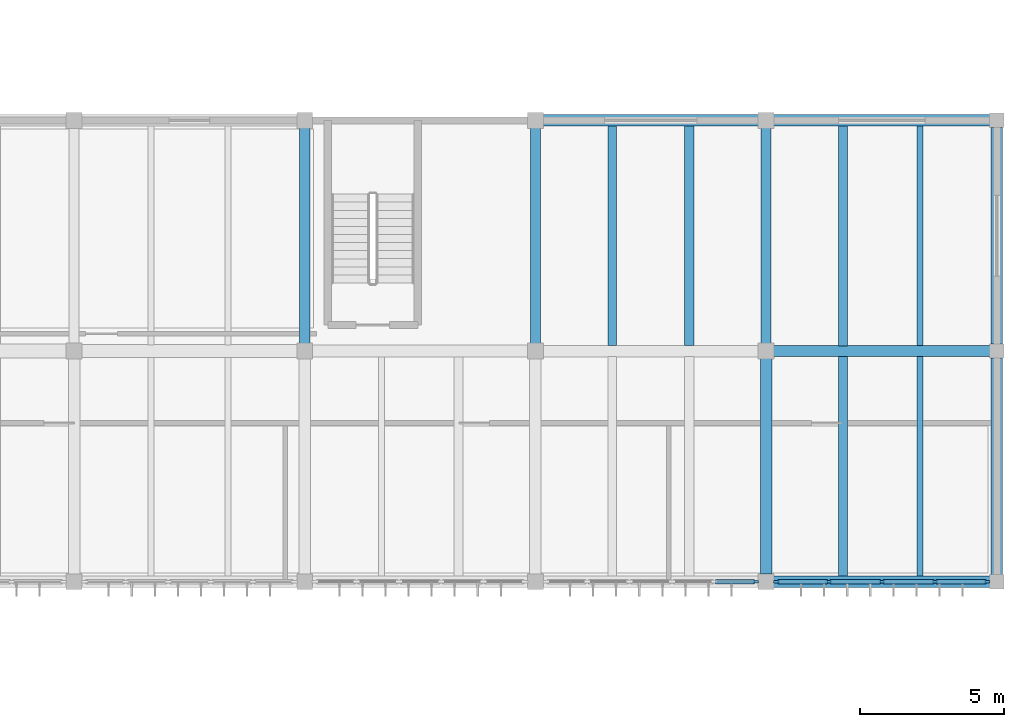
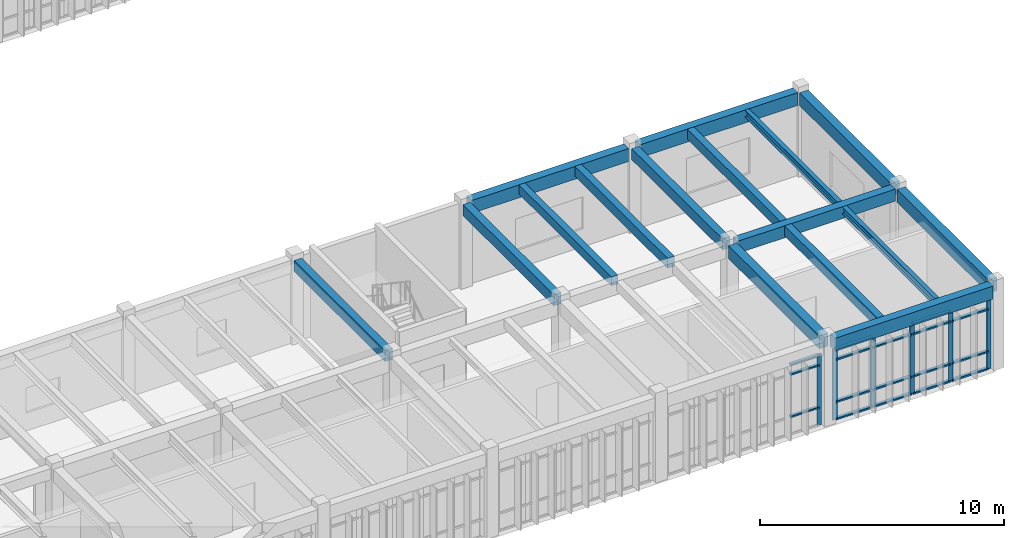
# One storey, part 31 of 79: 25 members, 16 beams, 2 elements without a shape of their own.
"""IFC4 building model written with IfcOpenShell, lengths in metres."""

from ifc_helpers import new_model, si_unit, direction, frame, origin, origin_2d, place, context, subcontext, project, spatial, rectangle, i_section, extrude, material, material_profile, profile_set, type_object, element, aggregate, save


model = new_model("IFC4")

# Units and contexts
model_context = context("Model", 3, precision=1e-05, world=origin(), true_north=direction((0.0, 1.0)))
body_context = subcontext(model_context, "Body", "Model", "MODEL_VIEW")
ifc_project = project(units=[si_unit("LENGTHUNIT", "METRE"), si_unit("AREAUNIT", "SQUARE_METRE"), si_unit("VOLUMEUNIT", "CUBIC_METRE"), si_unit("PLANEANGLEUNIT", "RADIAN"), si_unit("MASSUNIT", "GRAM", prefix="KILO")], contexts=[model_context])

# Site, building, storey
site_placement = place(None, origin())
site = spatial("IfcSite", under=ifc_project, at=site_placement, CompositionType="ELEMENT")
building_placement = place(site_placement, origin())
building = spatial("IfcBuilding", under=site, at=building_placement, Name="Tlaxcora Railside Police Headquarters", CompositionType="ELEMENT")
storey_placement = place(building_placement, frame((0.0, 0.0, 9.0)))
storey = spatial("IfcBuildingStorey", under=building, at=storey_placement, Name="L02", CompositionType="ELEMENT", Elevation=9.0)

# Curtain wall, member
ifc_material_1 = material(Name="Thermally broken low-E insulated glazing", Category="glass")
curtain_wall_type_1 = type_object("IfcCurtainWallType", Name="Unitised Curtain Wall Assembly CW-15", PredefinedType="NOTDEFINED", material=ifc_material_1)
curtain_wall_1_placement = place(storey_placement, origin())
curtain_wall_1 = element("IfcCurtainWall", 1, at=curtain_wall_1_placement, inside=storey, type_object=curtain_wall_type_1, Name="V7 L02 curtain wall 182", PredefinedType="NOTDEFINED")
ifc_material_2 = material(Name="Anodised aluminium framing", Category="aluminium")
ifc_material_profile_1 = material_profile(ifc_material_2, rectangle(XDim=0.074951171875, YDim=0.199951171875, at=origin_2d()), Name="AL75X200")
ifc_profile_set_1 = profile_set([ifc_material_profile_1], Name="Anodised aluminium framing")
member_type_1 = type_object("IfcMemberType", Name="Curtain Wall Mullion CW-58", PredefinedType="MULLION", material=ifc_profile_set_1)
member_1_placement = place(storey_placement, frame((150.4375, 36.0, 0.0), z_axis=(0.0, 0.0, 1.0), x_axis=(0.0, 1.0, 0.0)))
member_1 = element("IfcMember", 2, at=member_1_placement, type_object=member_type_1, Name="CW mullion 6", PredefinedType="MULLION", context=body_context, shape_type="SweptSolid", body=[
    extrude(rectangle(XDim=0.074951171875, YDim=0.199951171875, at=origin_2d()), origin(), (0.0, 0.0, 1.0), 3.550048828125),
])

# Curtain wall, members
curtain_wall_type_2 = type_object("IfcCurtainWallType", Name="Unitised Curtain Wall Assembly CW-83", PredefinedType="NOTDEFINED", material=ifc_material_1)
curtain_wall_2_placement = place(storey_placement, origin())
curtain_wall_2 = element("IfcCurtainWall", 3, at=curtain_wall_2_placement, inside=storey, type_object=curtain_wall_type_2, Name="V7 L02 curtain wall 183", PredefinedType="NOTDEFINED")
ifc_material_profile_2 = material_profile(ifc_material_2, rectangle(XDim=0.080078125, YDim=0.2099609375, at=origin_2d()), Name="AL80X210")
ifc_profile_set_2 = profile_set([ifc_material_profile_2], Name="Anodised aluminium framing")
member_type_2 = type_object("IfcMemberType", Name="Curtain Wall Mullion CW-76", PredefinedType="MULLION", material=ifc_profile_set_2)
member_2_placement = place(storey_placement, frame((151.1650390625, 36.0, 0.0), z_axis=(0.0, 0.0, 1.0), x_axis=(0.0, 1.0, 0.0)))
member_2 = element("IfcMember", 4, at=member_2_placement, type_object=member_type_2, Name="CW mullion 1", PredefinedType="MULLION", context=body_context, shape_type="SweptSolid", body=[
    extrude(rectangle(XDim=0.080078125, YDim=0.2099609375, at=origin_2d()), origin(), (0.0, 0.0, 1.0), 3.550048828125),
])
member_3_placement = place(storey_placement, frame((152.96875, 36.0, 0.0), z_axis=(0.0, 0.0, 1.0), x_axis=(0.0, 1.0, 0.0)))
member_3 = element("IfcMember", 5, at=member_3_placement, type_object=member_type_2, Name="CW mullion 2", PredefinedType="MULLION", context=body_context, shape_type="SweptSolid", body=[
    extrude(rectangle(XDim=0.080078125, YDim=0.2099609375, at=origin_2d()), origin(), (0.0, 0.0, 1.0), 3.550048828125),
])
member_4_placement = place(storey_placement, frame((154.8125, 36.0, 0.0), z_axis=(0.0, 0.0, 1.0), x_axis=(0.0, 1.0, 0.0)))
member_4 = element("IfcMember", 6, at=member_4_placement, type_object=member_type_2, Name="CW mullion 3", PredefinedType="MULLION", context=body_context, shape_type="SweptSolid", body=[
    extrude(rectangle(XDim=0.080078125, YDim=0.2099609375, at=origin_2d()), origin(), (0.0, 0.0, 1.0), 3.550048828125),
])
member_5_placement = place(storey_placement, frame((156.65625, 36.0, 0.0), z_axis=(0.0, 0.0, 1.0), x_axis=(0.0, 1.0, 0.0)))
member_5 = element("IfcMember", 7, at=member_5_placement, type_object=member_type_2, Name="CW mullion 4", PredefinedType="MULLION", context=body_context, shape_type="SweptSolid", body=[
    extrude(rectangle(XDim=0.080078125, YDim=0.2099609375, at=origin_2d()), origin(), (0.0, 0.0, 1.0), 3.550048828125),
])
member_6_placement = place(storey_placement, frame((158.4599609375, 36.0, 0.0), z_axis=(0.0, 0.0, 1.0), x_axis=(0.0, 1.0, 0.0)))
member_6 = element("IfcMember", 8, at=member_6_placement, type_object=member_type_2, Name="CW mullion 5", PredefinedType="MULLION", context=body_context, shape_type="SweptSolid", body=[
    extrude(rectangle(XDim=0.080078125, YDim=0.2099609375, at=origin_2d()), origin(), (0.0, 0.0, 1.0), 3.550048828125),
])

# Member
ifc_material_profile_3 = material_profile(ifc_material_2, rectangle(XDim=0.14990234375, YDim=0.074951171875, at=origin_2d()), Name="AL75X150")
ifc_profile_set_3 = profile_set([ifc_material_profile_3], Name="Anodised aluminium framing")
member_type_3 = type_object("IfcMemberType", Name="Curtain Wall Transom CW-28", PredefinedType="USERDEFINED", material=ifc_profile_set_3)
member_7_placement = place(storey_placement, frame((149.04248046875, 36.0, 0.89990234375), z_axis=(1.0, 0.0, 0.0), x_axis=(0.0, 1.0, 0.0)))
member_7 = element("IfcMember", 9, at=member_7_placement, type_object=member_type_3, Name="CW transom 5.2", ObjectType="TRANSOM", PredefinedType="USERDEFINED", context=body_context, shape_type="SweptSolid", body=[
    extrude(rectangle(XDim=0.14990234375, YDim=0.074951171875, at=origin_2d()), origin(), (0.0, 0.0, 1.0), 1.357421875),
])

member_8_placement = place(storey_placement, frame((149.04248046875, 36.0, 3.02001953125), z_axis=(1.0, 0.0, 0.0), x_axis=(0.0, 1.0, 0.0)))
member_8 = element("IfcMember", 10, at=member_8_placement, type_object=member_type_3, Name="CW transom 5.3", ObjectType="TRANSOM", PredefinedType="USERDEFINED", context=body_context, shape_type="SweptSolid", body=[
    extrude(rectangle(XDim=0.14990234375, YDim=0.074951171875, at=origin_2d()), origin(), (0.0, 0.0, 1.0), 1.357421875),
])

member_9_placement = place(storey_placement, frame((149.04248046875, 36.0, 3.512451171875), z_axis=(1.0, 0.0, 0.0), x_axis=(0.0, 1.0, 0.0)))
member_9 = element("IfcMember", 11, at=member_9_placement, type_object=member_type_3, Name="CW transom 5.4", ObjectType="TRANSOM", PredefinedType="USERDEFINED", context=body_context, shape_type="SweptSolid", body=[
    extrude(rectangle(XDim=0.14990234375, YDim=0.074951171875, at=origin_2d()), origin(), (0.0, 0.0, 1.0), 1.357421875),
])

aggregate(curtain_wall_1, [member_1, member_7, member_8, member_9])

ifc_material_profile_4 = material_profile(ifc_material_2, rectangle(XDim=0.159912109375, YDim=0.080078125, at=origin_2d()), Name="AL80X160")
ifc_profile_set_4 = profile_set([ifc_material_profile_4], Name="Anodised aluminium framing")
member_type_4 = type_object("IfcMemberType", Name="Curtain Wall Transom CW-82", PredefinedType="USERDEFINED", material=ifc_profile_set_4)
member_10_placement = place(storey_placement, frame((151.205078125, 36.0, 0.0400390625), z_axis=(1.0, 0.0, 0.0), x_axis=(0.0, 1.0, 0.0)))
member_10 = element("IfcMember", 12, at=member_10_placement, type_object=member_type_4, Name="CW transom 1.1", ObjectType="TRANSOM", PredefinedType="USERDEFINED", context=body_context, shape_type="SweptSolid", body=[
    extrude(rectangle(XDim=0.159912109375, YDim=0.080078125, at=origin_2d()), origin(), (0.0, 0.0, 1.0), 1.7236328125),
])

member_11_placement = place(storey_placement, frame((151.205078125, 36.0, 0.89990234375), z_axis=(1.0, 0.0, 0.0), x_axis=(0.0, 1.0, 0.0)))
member_11 = element("IfcMember", 13, at=member_11_placement, type_object=member_type_4, Name="CW transom 1.2", ObjectType="TRANSOM", PredefinedType="USERDEFINED", context=body_context, shape_type="SweptSolid", body=[
    extrude(rectangle(XDim=0.159912109375, YDim=0.080078125, at=origin_2d()), origin(), (0.0, 0.0, 1.0), 1.7236328125),
])

member_12_placement = place(storey_placement, frame((151.205078125, 36.0, 3.02001953125), z_axis=(1.0, 0.0, 0.0), x_axis=(0.0, 1.0, 0.0)))
member_12 = element("IfcMember", 14, at=member_12_placement, type_object=member_type_4, Name="CW transom 1.3", ObjectType="TRANSOM", PredefinedType="USERDEFINED", context=body_context, shape_type="SweptSolid", body=[
    extrude(rectangle(XDim=0.159912109375, YDim=0.080078125, at=origin_2d()), origin(), (0.0, 0.0, 1.0), 1.7236328125),
])

member_13_placement = place(storey_placement, frame((151.205078125, 36.0, 3.510009765625), z_axis=(1.0, 0.0, 0.0), x_axis=(0.0, 1.0, 0.0)))
member_13 = element("IfcMember", 15, at=member_13_placement, type_object=member_type_4, Name="CW transom 1.4", ObjectType="TRANSOM", PredefinedType="USERDEFINED", context=body_context, shape_type="SweptSolid", body=[
    extrude(rectangle(XDim=0.159912109375, YDim=0.080078125, at=origin_2d()), origin(), (0.0, 0.0, 1.0), 1.7236328125),
])

member_14_placement = place(storey_placement, frame((153.0087890625, 36.0, 0.0400390625), z_axis=(1.0, 0.0, 0.0), x_axis=(0.0, 1.0, 0.0)))
member_14 = element("IfcMember", 16, at=member_14_placement, type_object=member_type_4, Name="CW transom 2.1", ObjectType="TRANSOM", PredefinedType="USERDEFINED", context=body_context, shape_type="SweptSolid", body=[
    extrude(rectangle(XDim=0.159912109375, YDim=0.080078125, at=origin_2d()), origin(), (0.0, 0.0, 1.0), 1.763671875),
])

member_15_placement = place(storey_placement, frame((153.0087890625, 36.0, 0.89990234375), z_axis=(1.0, 0.0, 0.0), x_axis=(0.0, 1.0, 0.0)))
member_15 = element("IfcMember", 17, at=member_15_placement, type_object=member_type_4, Name="CW transom 2.2", ObjectType="TRANSOM", PredefinedType="USERDEFINED", context=body_context, shape_type="SweptSolid", body=[
    extrude(rectangle(XDim=0.159912109375, YDim=0.080078125, at=origin_2d()), origin(), (0.0, 0.0, 1.0), 1.763671875),
])

member_16_placement = place(storey_placement, frame((153.0087890625, 36.0, 3.02001953125), z_axis=(1.0, 0.0, 0.0), x_axis=(0.0, 1.0, 0.0)))
member_16 = element("IfcMember", 18, at=member_16_placement, type_object=member_type_4, Name="CW transom 2.3", ObjectType="TRANSOM", PredefinedType="USERDEFINED", context=body_context, shape_type="SweptSolid", body=[
    extrude(rectangle(XDim=0.159912109375, YDim=0.080078125, at=origin_2d()), origin(), (0.0, 0.0, 1.0), 1.763671875),
])

member_17_placement = place(storey_placement, frame((153.0087890625, 36.0, 3.510009765625), z_axis=(1.0, 0.0, 0.0), x_axis=(0.0, 1.0, 0.0)))
member_17 = element("IfcMember", 19, at=member_17_placement, type_object=member_type_4, Name="CW transom 2.4", ObjectType="TRANSOM", PredefinedType="USERDEFINED", context=body_context, shape_type="SweptSolid", body=[
    extrude(rectangle(XDim=0.159912109375, YDim=0.080078125, at=origin_2d()), origin(), (0.0, 0.0, 1.0), 1.763671875),
])

member_18_placement = place(storey_placement, frame((154.8525390625, 36.0, 0.0400390625), z_axis=(1.0, 0.0, 0.0), x_axis=(0.0, 1.0, 0.0)))
member_18 = element("IfcMember", 20, at=member_18_placement, type_object=member_type_4, Name="CW transom 3.1", ObjectType="TRANSOM", PredefinedType="USERDEFINED", context=body_context, shape_type="SweptSolid", body=[
    extrude(rectangle(XDim=0.159912109375, YDim=0.080078125, at=origin_2d()), origin(), (0.0, 0.0, 1.0), 1.763671875),
])

member_19_placement = place(storey_placement, frame((154.8525390625, 36.0, 0.89990234375), z_axis=(1.0, 0.0, 0.0), x_axis=(0.0, 1.0, 0.0)))
member_19 = element("IfcMember", 21, at=member_19_placement, type_object=member_type_4, Name="CW transom 3.2", ObjectType="TRANSOM", PredefinedType="USERDEFINED", context=body_context, shape_type="SweptSolid", body=[
    extrude(rectangle(XDim=0.159912109375, YDim=0.080078125, at=origin_2d()), origin(), (0.0, 0.0, 1.0), 1.763671875),
])

member_20_placement = place(storey_placement, frame((154.8525390625, 36.0, 3.02001953125), z_axis=(1.0, 0.0, 0.0), x_axis=(0.0, 1.0, 0.0)))
member_20 = element("IfcMember", 22, at=member_20_placement, type_object=member_type_4, Name="CW transom 3.3", ObjectType="TRANSOM", PredefinedType="USERDEFINED", context=body_context, shape_type="SweptSolid", body=[
    extrude(rectangle(XDim=0.159912109375, YDim=0.080078125, at=origin_2d()), origin(), (0.0, 0.0, 1.0), 1.763671875),
])

member_21_placement = place(storey_placement, frame((154.8525390625, 36.0, 3.510009765625), z_axis=(1.0, 0.0, 0.0), x_axis=(0.0, 1.0, 0.0)))
member_21 = element("IfcMember", 23, at=member_21_placement, type_object=member_type_4, Name="CW transom 3.4", ObjectType="TRANSOM", PredefinedType="USERDEFINED", context=body_context, shape_type="SweptSolid", body=[
    extrude(rectangle(XDim=0.159912109375, YDim=0.080078125, at=origin_2d()), origin(), (0.0, 0.0, 1.0), 1.763671875),
])

member_22_placement = place(storey_placement, frame((156.6962890625, 36.0, 0.0400390625), z_axis=(1.0, 0.0, 0.0), x_axis=(0.0, 1.0, 0.0)))
member_22 = element("IfcMember", 24, at=member_22_placement, type_object=member_type_4, Name="CW transom 4.1", ObjectType="TRANSOM", PredefinedType="USERDEFINED", context=body_context, shape_type="SweptSolid", body=[
    extrude(rectangle(XDim=0.159912109375, YDim=0.080078125, at=origin_2d()), origin(), (0.0, 0.0, 1.0), 1.7236328125),
])

member_23_placement = place(storey_placement, frame((156.6962890625, 36.0, 0.89990234375), z_axis=(1.0, 0.0, 0.0), x_axis=(0.0, 1.0, 0.0)))
member_23 = element("IfcMember", 25, at=member_23_placement, type_object=member_type_4, Name="CW transom 4.2", ObjectType="TRANSOM", PredefinedType="USERDEFINED", context=body_context, shape_type="SweptSolid", body=[
    extrude(rectangle(XDim=0.159912109375, YDim=0.080078125, at=origin_2d()), origin(), (0.0, 0.0, 1.0), 1.7236328125),
])

member_24_placement = place(storey_placement, frame((156.6962890625, 36.0, 3.02001953125), z_axis=(1.0, 0.0, 0.0), x_axis=(0.0, 1.0, 0.0)))
member_24 = element("IfcMember", 26, at=member_24_placement, type_object=member_type_4, Name="CW transom 4.3", ObjectType="TRANSOM", PredefinedType="USERDEFINED", context=body_context, shape_type="SweptSolid", body=[
    extrude(rectangle(XDim=0.159912109375, YDim=0.080078125, at=origin_2d()), origin(), (0.0, 0.0, 1.0), 1.7236328125),
])

member_25_placement = place(storey_placement, frame((156.6962890625, 36.0, 3.510009765625), z_axis=(1.0, 0.0, 0.0), x_axis=(0.0, 1.0, 0.0)))
member_25 = element("IfcMember", 27, at=member_25_placement, type_object=member_type_4, Name="CW transom 4.4", ObjectType="TRANSOM", PredefinedType="USERDEFINED", context=body_context, shape_type="SweptSolid", body=[
    extrude(rectangle(XDim=0.159912109375, YDim=0.080078125, at=origin_2d()), origin(), (0.0, 0.0, 1.0), 1.7236328125),
])

aggregate(curtain_wall_2, [member_2, member_3, member_4, member_5, member_6, member_10, member_11, member_12, member_13, member_14, member_15, member_16, member_17, member_18, member_19, member_20, member_21, member_22, member_23, member_24, member_25])

# Beams
ifc_material_3 = material(Name="Concrete C40/50", Category="concrete")
ifc_material_profile_5 = material_profile(ifc_material_3, rectangle(XDim=0.39990234375, YDim=0.64990234375, at=origin_2d()), Name="RC400X650")
ifc_profile_set_5 = profile_set([ifc_material_profile_5], Name="Concrete C40/50")
beam_type_1 = type_object("IfcBeamType", Name="Perimeter Spandrel Beam BM-46", PredefinedType="SPANDREL", material=ifc_profile_set_5)
beam_1_placement = place(storey_placement, frame((151.06494140625, 36.0, 3.89501953125), z_axis=(1.0, 0.0, 0.0), x_axis=(0.0, 1.0, 0.0)))
element("IfcBeam", 28, at=beam_1_placement, inside=storey, type_object=beam_type_1, Name="V7 L02 X-girder Y=36.0", PredefinedType="SPANDREL", context=body_context, shape_type="SweptSolid", body=[
    extrude(rectangle(XDim=0.39990234375, YDim=0.64990234375, at=origin_2d()), origin(), (0.0, 0.0, 1.0), 7.4951171875),
])
beam_2_placement = place(storey_placement, frame((143.06494140625, 52.0, 3.89501953125), z_axis=(1.0, 0.0, 0.0), x_axis=(0.0, 1.0, 0.0)))
element("IfcBeam", 29, at=beam_2_placement, inside=storey, type_object=beam_type_1, Name="V7 L02 X-girder Y=52.0", PredefinedType="SPANDREL", context=body_context, shape_type="SweptSolid", body=[
    extrude(rectangle(XDim=0.39990234375, YDim=0.64990234375, at=origin_2d()), origin(), (0.0, 0.0, 1.0), 7.469970703125),
])
beam_3_placement = place(storey_placement, frame((151.06494140625, 52.0, 3.89501953125), z_axis=(1.0, 0.0, 0.0), x_axis=(0.0, 1.0, 0.0)))
element("IfcBeam", 30, at=beam_3_placement, inside=storey, type_object=beam_type_1, Name="V7 L02 X-girder Y=52.0", PredefinedType="SPANDREL", context=body_context, shape_type="SweptSolid", body=[
    extrude(rectangle(XDim=0.39990234375, YDim=0.64990234375, at=origin_2d()), origin(), (0.0, 0.0, 1.0), 7.4951171875),
])
for number, where, z_axis, x_axis, name in (
    (31, (158.800048828125, 36.239990234375, 3.89501953125), (0.0, 1.0, 0.0), (-1.0, 0.0, 0.0), "V7 L02 Y-girder X=158.8"),
    (32, (158.800048828125, 44.239990234375, 3.89501953125), (0.0, 1.0, 0.0), (-1.0, 0.0, 0.0), "V7 L02 Y-girder X=158.8"),
):
    element("IfcBeam", number, at=place(storey_placement, frame(where, z_axis=z_axis, x_axis=x_axis)), inside=storey, type_object=beam_type_1, Name=name, PredefinedType="SPANDREL", context=body_context, shape_type="SweptSolid", body=[
        extrude(rectangle(XDim=0.39990234375, YDim=0.64990234375, at=origin_2d()), origin(), (0.0, 0.0, 1.0), 7.52001953125),
    ])
ifc_material_profile_6 = material_profile(ifc_material_3, rectangle(XDim=0.3798828125, YDim=0.60009765625, at=origin_2d()), Name="RC380X600")
ifc_profile_set_6 = profile_set([ifc_material_profile_6], Name="Concrete C40/50")
beam_type_2 = type_object("IfcBeamType", Name="Primary Frame Girder BM-22", PredefinedType="BEAM", material=ifc_profile_set_6)
beam_4_placement = place(storey_placement, frame((151.06494140625, 44.0, 3.919921875), z_axis=(1.0, 0.0, 0.0), x_axis=(0.0, 1.0, 0.0)))
element("IfcBeam", 33, at=beam_4_placement, inside=storey, type_object=beam_type_2, Name="V7 L02 X-girder Y=44.0", PredefinedType="BEAM", context=body_context, shape_type="SweptSolid", body=[
    extrude(rectangle(XDim=0.3798828125, YDim=0.60009765625, at=origin_2d()), origin(), (0.0, 0.0, 1.0), 7.4951171875),
])
ifc_material_profile_7 = material_profile(ifc_material_3, rectangle(XDim=0.35009765625, YDim=0.550048828125, at=origin_2d()), Name="RC350X550")
ifc_profile_set_7 = profile_set([ifc_material_profile_7], Name="Concrete C40/50")
beam_type_3 = type_object("IfcBeamType", Name="Primary Frame Girder BM-39", PredefinedType="BEAM", material=ifc_profile_set_7)
for number, where, z_axis, x_axis, name in (
    (34, (134.800048828125, 44.264892578125, 3.945068359375), (0.0, 1.0, 0.0), (-1.0, 0.0, 0.0), "V7 L02 Y-girder X=134.8"),
    (35, (142.800048828125, 44.264892578125, 3.945068359375), (0.0, 1.0, 0.0), (-1.0, 0.0, 0.0), "V7 L02 Y-girder X=142.8"),
    (36, (150.800048828125, 44.264892578125, 3.945068359375), (0.0, 1.0, 0.0), (-1.0, 0.0, 0.0), "V7 L02 Y-girder X=150.8"),
):
    element("IfcBeam", number, at=place(storey_placement, frame(where, z_axis=z_axis, x_axis=x_axis)), inside=storey, type_object=beam_type_3, Name=name, PredefinedType="BEAM", context=body_context, shape_type="SweptSolid", body=[
        extrude(rectangle(XDim=0.35009765625, YDim=0.550048828125, at=origin_2d()), origin(), (0.0, 0.0, 1.0), 7.47021484375),
    ])
ifc_material_profile_8 = material_profile(ifc_material_3, rectangle(XDim=0.39990234375, YDim=0.64990234375, at=origin_2d()), Name="RC400X650")
ifc_profile_set_8 = profile_set([ifc_material_profile_8], Name="Concrete C40/50")
beam_type_4 = type_object("IfcBeamType", Name="Primary Frame Girder BM-41", PredefinedType="BEAM", material=ifc_profile_set_8)
beam_5_placement = place(storey_placement, frame((150.800048828125, 36.264892578125, 3.89501953125), z_axis=(0.0, 1.0, 0.0), x_axis=(-1.0, 0.0, 0.0)))
element("IfcBeam", 37, at=beam_5_placement, inside=storey, type_object=beam_type_4, Name="V7 L02 Y-girder X=150.8", PredefinedType="BEAM", context=body_context, shape_type="SweptSolid", body=[
    extrude(rectangle(XDim=0.39990234375, YDim=0.64990234375, at=origin_2d()), origin(), (0.0, 0.0, 1.0), 7.47021484375),
])
ifc_material_4 = material(Name="Concrete C35/45", Category="concrete")
ifc_material_profile_9 = material_profile(ifc_material_4, rectangle(XDim=0.300048828125, YDim=0.449951171875, at=origin_2d()), Name="RC300X450")
ifc_profile_set_9 = profile_set([ifc_material_profile_9], Name="Concrete C35/45")
beam_type_5 = type_object("IfcBeamType", Name="Secondary Floor Joist BM-27", PredefinedType="JOIST", material=ifc_profile_set_9)
beam_6_placement = place(storey_placement, frame((145.466796875, 44.19189453125, 3.9951171875), z_axis=(0.0, 1.0, 0.0), x_axis=(-1.0, 0.0, 0.0)))
element("IfcBeam", 38, at=beam_6_placement, inside=storey, type_object=beam_type_5, Name="V7 L02 floor joist X=145.47", PredefinedType="JOIST", context=body_context, shape_type="SweptSolid", body=[
    extrude(rectangle(XDim=0.300048828125, YDim=0.449951171875, at=origin_2d()), origin(), (0.0, 0.0, 1.0), 7.6162109375),
])
ifc_material_5 = material(Name="Steel ASTM A992 Grade 50", Category="steel")
ifc_material_profile_10 = material_profile(ifc_material_5, i_section(OverallWidth=0.2041015625, OverallDepth=0.35009765625, WebThickness=0.008544921875, FlangeThickness=0.01513671875, at=origin_2d()), Name="W14X48")
ifc_profile_set_10 = profile_set([ifc_material_profile_10], Name="Steel ASTM A992 Grade 50")
beam_type_6 = type_object("IfcBeamType", Name="Secondary Floor Joist BM-65", PredefinedType="JOIST", material=ifc_profile_set_10)
for number, where, z_axis, x_axis, name in (
    (39, (156.13330078125, 36.19189453125, 4.044921875), (0.0, 1.0, 0.0), (-1.0, 0.0, 0.0), "V7 L02 floor joist X=156.13"),
    (40, (156.13330078125, 44.181884765625, 4.044921875), (0.0, 1.0, 0.0), (-1.0, 0.0, 0.0), "V7 L02 floor joist X=156.13"),
):
    element("IfcBeam", number, at=place(storey_placement, frame(where, z_axis=z_axis, x_axis=x_axis)), inside=storey, type_object=beam_type_6, Name=name, PredefinedType="JOIST", context=body_context, shape_type="SweptSolid", body=[
        extrude(i_section(OverallWidth=0.2041015625, OverallDepth=0.35009765625, WebThickness=0.008544921875, FlangeThickness=0.01513671875, at=origin_2d()), origin(), (0.0, 0.0, 1.0), 7.626220703125),
    ])
ifc_material_profile_11 = material_profile(ifc_material_4, rectangle(XDim=0.320068359375, YDim=0.5, at=origin_2d()), Name="RC320X500")
ifc_profile_set_11 = profile_set([ifc_material_profile_11], Name="Concrete C35/45")
beam_type_7 = type_object("IfcBeamType", Name="Secondary Floor Joist BM-88", PredefinedType="JOIST", material=ifc_profile_set_11)
beam_7_placement = place(storey_placement, frame((153.466796875, 36.19189453125, 3.969970703125), z_axis=(0.0, 1.0, 0.0), x_axis=(-1.0, 0.0, 0.0)))
element("IfcBeam", 41, at=beam_7_placement, inside=storey, type_object=beam_type_7, Name="V7 L02 floor joist X=153.47", PredefinedType="JOIST", context=body_context, shape_type="SweptSolid", body=[
    extrude(rectangle(XDim=0.320068359375, YDim=0.5, at=origin_2d()), origin(), (0.0, 0.0, 1.0), 7.626220703125),
])
beam_8_placement = place(storey_placement, frame((148.13330078125, 44.19189453125, 3.969970703125), z_axis=(0.0, 1.0, 0.0), x_axis=(-1.0, 0.0, 0.0)))
element("IfcBeam", 42, at=beam_8_placement, inside=storey, type_object=beam_type_7, Name="V7 L02 floor joist X=148.13", PredefinedType="JOIST", context=body_context, shape_type="SweptSolid", body=[
    extrude(rectangle(XDim=0.320068359375, YDim=0.5, at=origin_2d()), origin(), (0.0, 0.0, 1.0), 7.6162109375),
])
beam_9_placement = place(storey_placement, frame((153.466796875, 44.181884765625, 3.969970703125), z_axis=(0.0, 1.0, 0.0), x_axis=(-1.0, 0.0, 0.0)))
element("IfcBeam", 43, at=beam_9_placement, inside=storey, type_object=beam_type_7, Name="V7 L02 floor joist X=153.47", PredefinedType="JOIST", context=body_context, shape_type="SweptSolid", body=[
    extrude(rectangle(XDim=0.320068359375, YDim=0.5, at=origin_2d()), origin(), (0.0, 0.0, 1.0), 7.626220703125),
])

save(model, "model.ifc")
